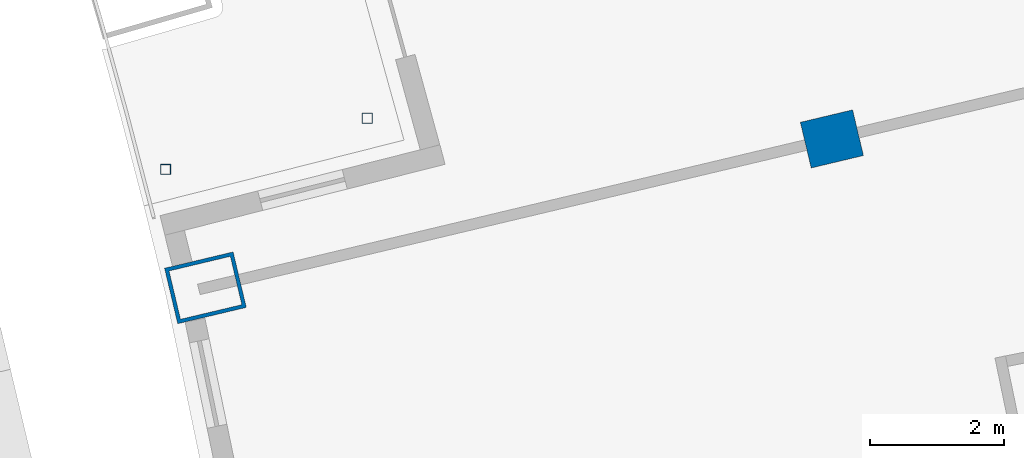
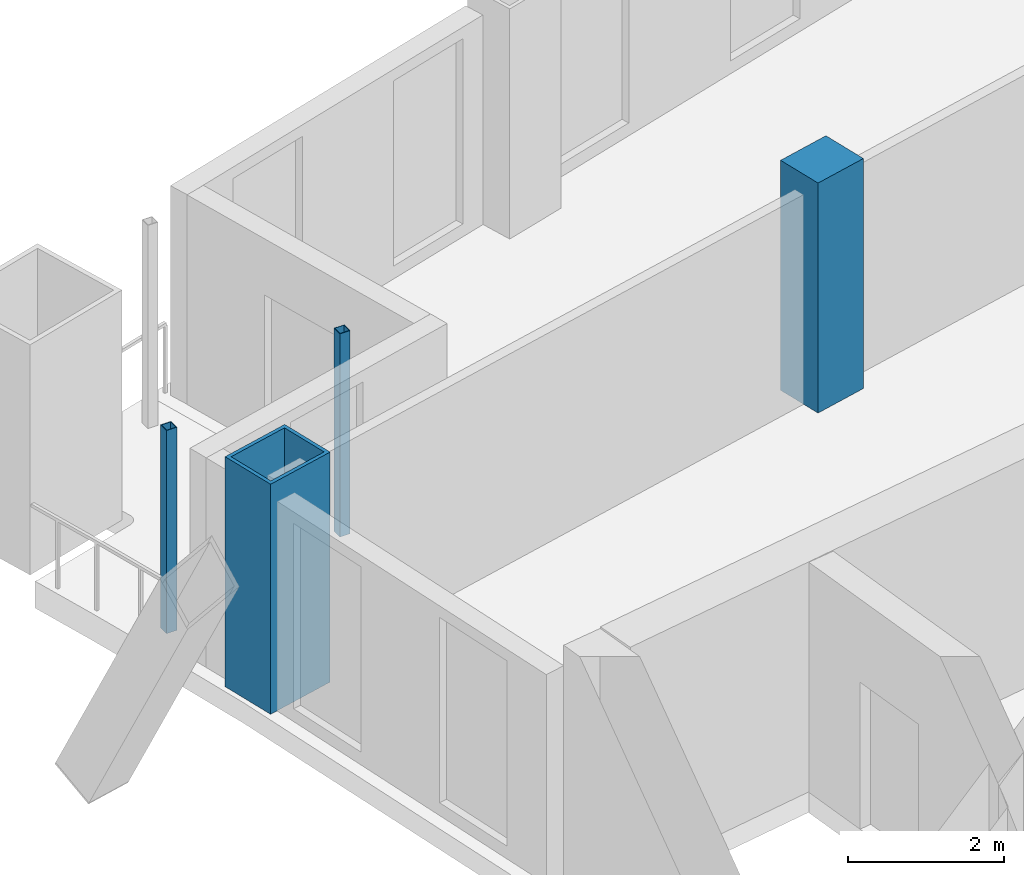
# One storey, part 5 of 19: 4 columns.
"""IFC4 building model written with IfcOpenShell, lengths in metres."""

from ifc_helpers import new_model, si_unit, direction, frame, origin, origin_2d, place, context, subcontext, project, spatial, rectangle, hollow_rectangle, extrude, material, material_profile, profile_set, type_object, element, save


model = new_model("IFC4")

# Units and contexts
model_context = context("Model", 3, precision=1e-05, world=origin(), true_north=direction((0.0, 1.0)))
body_context = subcontext(model_context, "Body", "Model", "MODEL_VIEW")
ifc_project = project(units=[si_unit("LENGTHUNIT", "METRE"), si_unit("AREAUNIT", "SQUARE_METRE"), si_unit("VOLUMEUNIT", "CUBIC_METRE"), si_unit("PLANEANGLEUNIT", "RADIAN"), si_unit("MASSUNIT", "GRAM", prefix="KILO")], contexts=[model_context])

# Site, building, storey
site_placement = place(None, origin())
site = spatial("IfcSite", under=ifc_project, at=site_placement, CompositionType="ELEMENT")
building_placement = place(site_placement, origin())
building = spatial("IfcBuilding", under=site, at=building_placement, Name="Alderwake Tower", CompositionType="ELEMENT")
storey_placement = place(building_placement, frame((0.0, 0.0, 200.0)))
storey = spatial("IfcBuildingStorey", under=building, at=storey_placement, Name="L49", CompositionType="ELEMENT", Elevation=200.0)

# Columns
ifc_material_1 = material(Name="Concrete C70/85", Category="concrete")
ifc_material_profile_1 = material_profile(ifc_material_1, rectangle(XDim=0.699951171875, YDim=0.800048828125, at=origin_2d()), Name="RC 800X700")
ifc_profile_set_1 = profile_set([ifc_material_profile_1], Name="Concrete C70/85")
column_type_1 = type_object("IfcColumnType", Name="Interior column Z4", PredefinedType="COLUMN", material=ifc_profile_set_1)
column_1_placement = place(storey_placement, frame((23.322021484375, 85.555908203125, 0.0), z_axis=(0.0, 0.0, 1.0), x_axis=(-0.231221547198, 0.972901123502, 0.0)))
element("IfcColumn", 1, at=column_1_placement, inside=storey, type_object=column_type_1, Name="Column R11-C1", PredefinedType="COLUMN", context=body_context, shape_type="SweptSolid", body=[
    extrude(rectangle(XDim=0.699951171875, YDim=0.800048828125, at=origin_2d()), origin(), (0.0, 0.0, 1.0), 3.60009765625),
])
ifc_material_2 = material(Name="Steel ASTM A500 Grade C", Category="steel")
ifc_material_profile_2 = material_profile(ifc_material_2, hollow_rectangle(XDim=0.15234375, YDim=0.15234375, WallThickness=0.0087890625, at=origin_2d()), Name="HSS6X6X3/8")
ifc_profile_set_2 = profile_set([ifc_material_profile_2], Name="Steel ASTM A500 Grade C")
column_type_2 = type_object("IfcColumnType", Name="Light post HSS6X6X3/8", PredefinedType="COLUMN", material=ifc_profile_set_2)
for number, where, z_axis, x_axis, name in (
    (2, (13.3896484375, 85.103515625, 0.0), (0.0, 0.0, 1.0), (1.0, 0.0, 0.0), "Terrace post RN1"),
    (3, (16.39501953125, 85.864013671875, 0.0), (0.0, 0.0, 1.0), (1.0, 0.0, 0.0), "Terrace post RN3"),
):
    element("IfcColumn", number, at=place(storey_placement, frame(where, z_axis=z_axis, x_axis=x_axis)), inside=storey, type_object=column_type_2, Name=name, PredefinedType="COLUMN", context=body_context, shape_type="SweptSolid", body=[
        extrude(hollow_rectangle(XDim=0.15234375, YDim=0.15234375, WallThickness=0.0087890625, at=origin_2d()), origin(), (0.0, 0.0, 1.0), 3.179931640625),
    ])
ifc_material_3 = material(Name="Steel ASTM A572 Grade 50 concrete filled C70/85", Category="concrete")
ifc_material_profile_3 = material_profile(ifc_material_3, hollow_rectangle(XDim=0.85009765625, YDim=1.050048828125, WallThickness=0.054931640625, at=origin_2d()), Name="BOX 1050X850X55")
ifc_profile_set_3 = profile_set([ifc_material_profile_3], Name="Steel ASTM A572 Grade 50 concrete filled C70/85")
column_type_3 = type_object("IfcColumnType", Name="Perimeter column Z4", PredefinedType="COLUMN", material=ifc_profile_set_3)
column_2_placement = place(storey_placement, frame((13.982177734375, 83.3359375, 0.0), z_axis=(0.0, 0.0, 1.0), x_axis=(-0.231221547198, 0.972901123502, 0.0)))
element("IfcColumn", 4, at=column_2_placement, inside=storey, type_object=column_type_3, Name="Column R11-C0", PredefinedType="COLUMN", context=body_context, shape_type="SweptSolid", body=[
    extrude(hollow_rectangle(XDim=0.85009765625, YDim=1.050048828125, WallThickness=0.054931640625, at=origin_2d()), origin(), (0.0, 0.0, 1.0), 3.60009765625),
])

save(model, "model.ifc")
